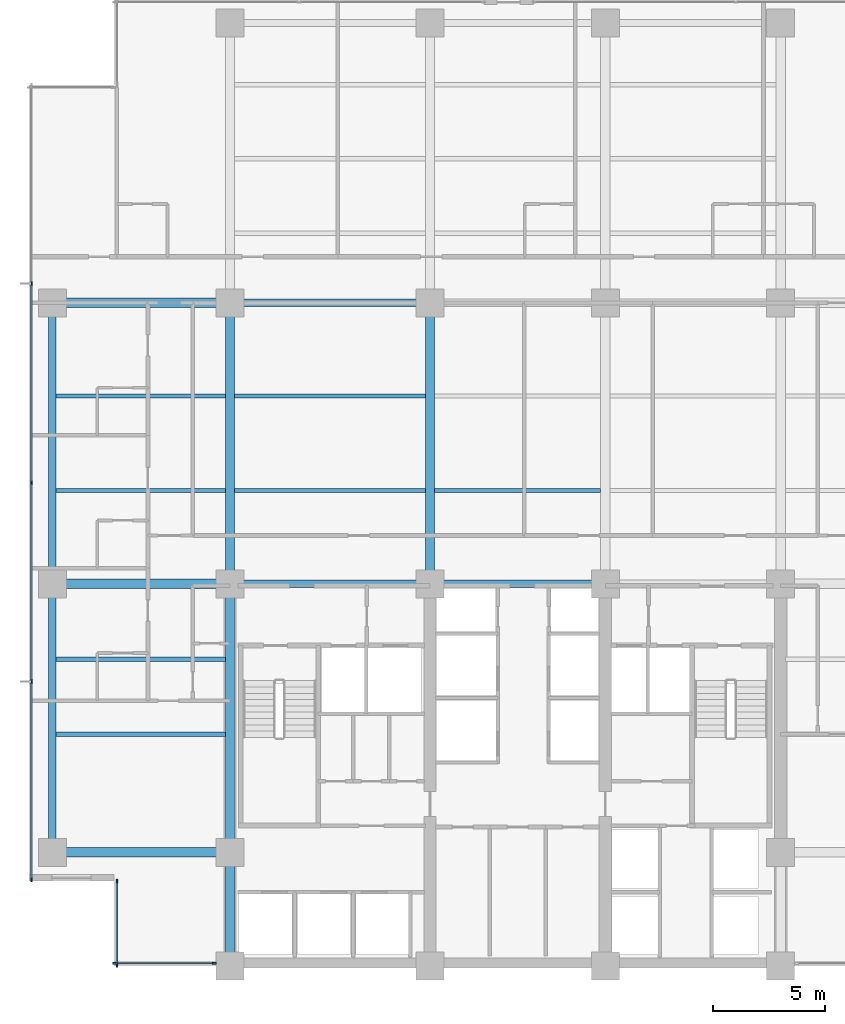
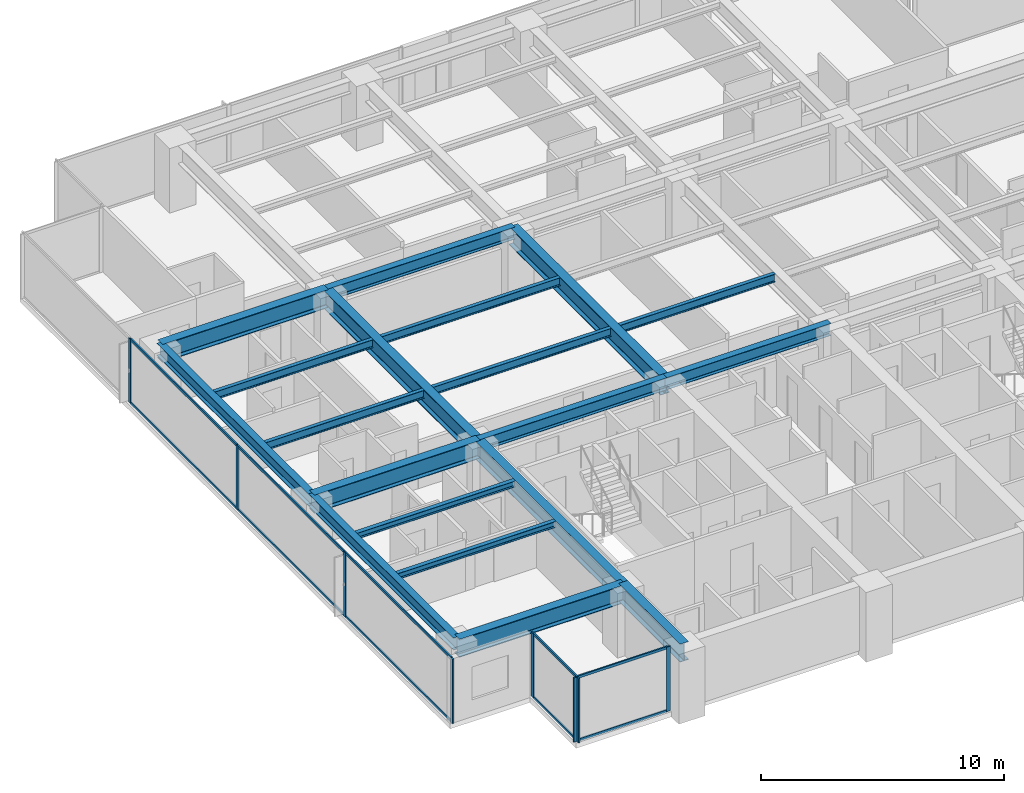
# One storey, part 2 of 17: 19 beams, 18 members, 3 elements without a shape of their own.
"""IFC4 building model written with IfcOpenShell, lengths in metres."""

import ifcopenshell
import ifcopenshell.guid

model = None  # the IFC model being written
_history = None  # IfcOwnerHistory: only IFC2X3 demands one
_inside = {}  # id of a spatial element -> (the spatial element, [elements in it])
_under = {}  # id of a project, library or spatial element -> (it, [spatial elements below it])
_declared = {}  # id of a project -> (the project, [libraries it declares])
_typed = {}  # id of a type object -> (the type object, [elements of that type])
_made_of = {}  # id of a material, layer set ... -> (it, [elements and type objects made of it])


def new_model(schema):
    """Start an empty IFC model of exactly this schema.

    Asked for "IFC4X3", IfcOpenShell would pick the latest addendum, in which some entities
    have other attributes; the version numbers below select the first issue.
    IFC2X3 requires an IfcOwnerHistory on every rooted entity: one is made here for all.
    """
    global model, _history
    if schema == "IFC4X3":
        model = ifcopenshell.file(schema_version=(4, 3, 0, 0))
    else:
        model = ifcopenshell.file(schema=schema)
    _inside.clear()
    _under.clear()
    _declared.clear()
    _typed.clear()
    _made_of.clear()
    _history = None
    if model.schema == "IFC2X3":
        org = make("IfcOrganization", Name="unknown")
        user = make(
            "IfcPersonAndOrganization",
            ThePerson=make("IfcPerson", FamilyName="unknown"),
            TheOrganization=org,
        )
        app = make(
            "IfcApplication",
            ApplicationDeveloper=org,
            Version="unknown",
            ApplicationFullName="unknown",
            ApplicationIdentifier="unknown",
        )
        _history = make(
            "IfcOwnerHistory",
            OwningUser=user,
            OwningApplication=app,
            ChangeAction="ADDED",
            CreationDate=0,
        )
    return model


def make(cls, **values):
    """One entity of the class cls with the attributes given. An attribute that is None is left unset."""
    return model.create_entity(
        cls, **{name: value for name, value in values.items() if value is not None}
    )


def rooted(cls, **values):
    """An entity with a GlobalId (a new one), such as an element, a storey or a relation."""
    return make(cls, GlobalId=ifcopenshell.guid.new(), OwnerHistory=_history, **values)


def si_unit(unit_type, name, prefix=None):
    """IfcSIUnit, for example si_unit("LENGTHUNIT", "METRE", prefix="MILLI")."""
    return make("IfcSIUnit", UnitType=unit_type, Prefix=prefix, Name=name)


def assignment(units):
    """IfcUnitAssignment: the units of a project."""
    return None if units is None else make("IfcUnitAssignment", Units=units)


def point(xyz):
    """IfcCartesianPoint."""
    return None if xyz is None else make("IfcCartesianPoint", Coordinates=xyz)


def direction(xyz):
    """IfcDirection."""
    return None if xyz is None else make("IfcDirection", DirectionRatios=xyz)


def frame(location, z_axis=None, x_axis=None):
    """IfcAxis2Placement3D, a coordinate frame: its origin and axes. An axis left out is left unset."""
    return make(
        "IfcAxis2Placement3D",
        Location=point(location),
        Axis=direction(z_axis),
        RefDirection=direction(x_axis),
    )


def frame_2d(location, x_axis=None):
    """IfcAxis2Placement2D, a coordinate frame in the plane: its origin and x axis."""
    return make(
        "IfcAxis2Placement2D", Location=point(location), RefDirection=direction(x_axis)
    )


def origin():
    """The frame at (0, 0, 0) with its axes left unset."""
    return frame((0.0, 0.0, 0.0))


def origin_2d():
    """The frame at (0, 0) in the plane with its x axis left unset."""
    return frame_2d((0.0, 0.0))


def place(relative_to, where):
    """IfcLocalPlacement: puts the frame where relative to a parent placement (None: the world)."""
    return make(
        "IfcLocalPlacement", PlacementRelTo=relative_to, RelativePlacement=where
    )


def context(
    kind, dimensions, precision=None, world=None, true_north=None, identifier=None
):
    """IfcGeometricRepresentationContext, for example the 3D "Model" context."""
    return make(
        "IfcGeometricRepresentationContext",
        ContextIdentifier=identifier,
        ContextType=kind,
        CoordinateSpaceDimension=dimensions,
        Precision=precision,
        WorldCoordinateSystem=world,
        TrueNorth=true_north,
    )


def subcontext(parent, identifier, kind, view, scale=None):
    """IfcGeometricRepresentationSubContext, for example "Body" below "Model"."""
    return make(
        "IfcGeometricRepresentationSubContext",
        ContextIdentifier=identifier,
        ContextType=kind,
        ParentContext=parent,
        TargetScale=scale,
        TargetView=view,
    )


def project(units=None, contexts=None):
    """IfcProject with its units and contexts."""
    return rooted(
        "IfcProject",
        Name="project",
        RepresentationContexts=contexts,
        UnitsInContext=assignment(units),
    )


def spatial(cls, under=None, at=None, **own):
    """A site, building, storey or space (cls), placed at a placement, below another one or the project."""
    s = rooted(cls, ObjectPlacement=at, **own)
    if under is not None:
        _under.setdefault(under.id(), (under, []))[1].append(s)
    return s


def profile(cls, at=None, kind="AREA", **sizes):
    """A parametric profile (cls). Its sizes go by their IFC names, for example OverallWidth=200.0."""
    return make(cls, ProfileType=kind, Position=at, **sizes)


def rectangle(**sizes):
    """IfcRectangleProfileDef."""
    return profile("IfcRectangleProfileDef", **sizes)


def i_section(**sizes):
    """IfcIShapeProfileDef."""
    return profile("IfcIShapeProfileDef", **sizes)


def extrude(swept, where, along, depth):
    """IfcExtrudedAreaSolid: the profile swept, set in the frame where, extruded along a direction by depth."""
    return make(
        "IfcExtrudedAreaSolid",
        SweptArea=swept,
        Position=where,
        ExtrudedDirection=direction(along),
        Depth=depth,
    )


def shape(context_of_items, identifier, shape_type, items):
    """IfcShapeRepresentation: the items that make up one representation, for example the "Body"."""
    return make(
        "IfcShapeRepresentation",
        ContextOfItems=context_of_items,
        RepresentationIdentifier=identifier,
        RepresentationType=shape_type,
        Items=items,
    )


def material(Name=None, Category=None):
    """IfcMaterial."""
    return make("IfcMaterial", Name=Name, Category=Category)


def layer(
    of_material, thickness, ventilated=None, Name=None, Category=None, Priority=None
):
    """IfcMaterialLayer: one layer of a wall or slab, of a material (None: an air gap)."""
    return make(
        "IfcMaterialLayer",
        Material=of_material,
        LayerThickness=thickness,
        IsVentilated=ventilated,
        Name=Name,
        Category=Category,
        Priority=Priority,
    )


def layer_set(layers, Name=None):
    """IfcMaterialLayerSet."""
    return make("IfcMaterialLayerSet", MaterialLayers=layers, LayerSetName=Name)


def material_profile(
    of_material, cross_section, Name=None, Category=None, Priority=None
):
    """IfcMaterialProfile: a cross section and its material."""
    return make(
        "IfcMaterialProfile",
        Name=Name,
        Material=of_material,
        Profile=cross_section,
        Priority=Priority,
        Category=Category,
    )


def profile_set(profiles, Name=None, composite=None):
    """IfcMaterialProfileSet."""
    return make(
        "IfcMaterialProfileSet",
        Name=Name,
        MaterialProfiles=profiles,
        CompositeProfile=composite,
    )


def made_of(thing, what):
    """Note that an element or type object is made of a material, layer set ...; save() writes the relation."""
    if what is not None:
        _made_of.setdefault(what.id(), (what, []))[1].append(thing)
    return thing


def type_object(cls, material=None, **own):
    """A type object (cls), such as IfcWallType, which elements share."""
    return made_of(rooted(cls, **own), material)


def element(
    cls,
    number,
    at=None,
    inside=None,
    cuts=None,
    type_object=None,
    material=None,
    context=None,
    identifier="Body",
    shape_type=None,
    held_by="IfcProductDefinitionShape",
    body=None,
    shapes=None,
    **own,
):
    """One element of the class cls, such as IfcWall. Its Tag is "e" and its number.

    at: its placement. inside: the storey or other place that contains it. cuts: it is an
    opening in that element (IfcRelVoidsElement). A single representation is given by context,
    identifier, shape_type and body (its items); several are given by shapes. held_by: the class
    of the entity that holds the representations. save() writes the other relations.
    """
    e = rooted(cls, Tag="e%d" % number, ObjectPlacement=at, **own)
    if body is not None:
        shapes = [shape(context, identifier, shape_type, body)]
    if shapes is not None:
        e.Representation = make(held_by, Representations=shapes)
    if inside is not None:
        _inside.setdefault(inside.id(), (inside, []))[1].append(e)
    if cuts is not None:
        rooted(
            "IfcRelVoidsElement", RelatingBuildingElement=cuts, RelatedOpeningElement=e
        )
    if type_object is not None:
        _typed.setdefault(type_object.id(), (type_object, []))[1].append(e)
    return made_of(e, material)


def aggregate(whole, parts):
    """IfcRelAggregates: a whole, such as a stair, and the parts it consists of."""
    return rooted("IfcRelAggregates", RelatingObject=whole, RelatedObjects=parts)


def save(model, path):
    """Write the relations noted so far, then the file.

    IfcRelAggregates (storeys below a building ...), IfcRelContainedInSpatialStructure (elements
    in a storey), IfcRelDefinesByType, IfcRelAssociatesMaterial and IfcRelDeclares: one each for
    every whole, place, type object, material and project.
    """
    for whole, parts in _under.values():
        aggregate(whole, parts)
    for where, things in _inside.values():
        rooted(
            "IfcRelContainedInSpatialStructure",
            RelatedElements=things,
            RelatingStructure=where,
        )
    for kind, things in _typed.values():
        rooted("IfcRelDefinesByType", RelatedObjects=things, RelatingType=kind)
    for what, things in _made_of.values():
        rooted("IfcRelAssociatesMaterial", RelatedObjects=things, RelatingMaterial=what)
    for by, libraries in _declared.values():
        rooted("IfcRelDeclares", RelatingContext=by, RelatedDefinitions=libraries)
    model.write(path)


model = new_model("IFC4")

# Units and contexts
model_context = context("Model", 3, precision=1e-05, world=origin(), true_north=direction((0.0, 1.0)))
body_context = subcontext(model_context, "Body", "Model", "MODEL_VIEW")
ifc_project = project(units=[si_unit("LENGTHUNIT", "METRE"), si_unit("AREAUNIT", "SQUARE_METRE"), si_unit("VOLUMEUNIT", "CUBIC_METRE"), si_unit("PLANEANGLEUNIT", "RADIAN"), si_unit("MASSUNIT", "GRAM", prefix="KILO")], contexts=[model_context])

# Site, building, storey
site_placement = place(None, origin())
site = spatial("IfcSite", under=ifc_project, at=site_placement, CompositionType="ELEMENT")
building_placement = place(site_placement, origin())
building = spatial("IfcBuilding", under=site, at=building_placement, Name="Qalmaran Belvedere Hotel", CompositionType="ELEMENT")
storey_placement = place(building_placement, frame((0.0, 0.0, 98.699951171875)))
storey = spatial("IfcBuildingStorey", under=building, at=storey_placement, Name="L24", CompositionType="ELEMENT", Elevation=98.699951171875)

# Beams
ifc_material_1 = material(Name="Steel S355JR", Category="steel")
ifc_material_profile_1 = material_profile(ifc_material_1, i_section(OverallWidth=0.202880859375, OverallDepth=0.302978515625, WebThickness=0.007568359375, FlangeThickness=0.01318359375, FilletRadius=0.012939453125, at=origin_2d()), Name="W310X60")
ifc_profile_set_1 = profile_set([ifc_material_profile_1], Name="Steel S355JR")
beam_type_1 = type_object("IfcBeamType", Name="BM-JST-W310X60", PredefinedType="JOIST", material=ifc_profile_set_1)
for number, where, z_axis, x_axis, name in (
    (1, (12.5615234375, 13.800048828125, 3.088623046875), (1.0, 0.0, 0.0), (0.0, 1.0, 0.0), "L24 West Wing Joist 038"),
    (2, (12.5615234375, 17.14990234375, 3.088623046875), (1.0, 0.0, 0.0), (0.0, 1.0, 0.0), "L24 West Wing Joist 040"),
):
    element("IfcBeam", number, at=place(storey_placement, frame(where, z_axis=z_axis, x_axis=x_axis)), inside=storey, type_object=beam_type_1, Name=name, PredefinedType="JOIST", context=body_context, shape_type="SweptSolid", body=[
        extrude(i_section(OverallWidth=0.202880859375, OverallDepth=0.302978515625, WebThickness=0.007568359375, FlangeThickness=0.01318359375, FilletRadius=0.012939453125, at=origin_2d()), origin(), (0.0, 0.0, 1.0), 7.531494140625),
    ])
ifc_material_profile_2 = material_profile(ifc_material_1, i_section(OverallWidth=0.41796875, OverallDepth=0.912109375, WebThickness=0.019287109375, FlangeThickness=0.031982421875, FilletRadius=0.02392578125, at=origin_2d()), Name="W920X342")
ifc_profile_set_2 = profile_set([ifc_material_profile_2], Name="Steel S355JR")
beam_type_2 = type_object("IfcBeamType", Name="BM-PG2-W920X342", PredefinedType="USERDEFINED", material=ifc_profile_set_2)
for number, where, z_axis, x_axis, name in (
    (3, (20.300048828125, 20.5, 2.783935546875), (0.0, 1.0, 0.0), (-1.0, 0.0, 0.0), "L24 Mid-Plate N-S Girder 14"),
    (4, (29.199951171875, 20.5, 2.783935546875), (0.0, 1.0, 0.0), (-1.0, 0.0, 0.0), "L24 Mid-Plate N-S Girder 16"),
):
    element("IfcBeam", number, at=place(storey_placement, frame(where, z_axis=z_axis, x_axis=x_axis)), inside=storey, type_object=beam_type_2, Name=name, ObjectType="GIRDER", PredefinedType="USERDEFINED", context=body_context, shape_type="SweptSolid", body=[
        extrude(i_section(OverallWidth=0.41796875, OverallDepth=0.912109375, WebThickness=0.019287109375, FlangeThickness=0.031982421875, FilletRadius=0.02392578125, at=origin_2d()), origin(), (0.0, 0.0, 1.0), 12.5),
    ])
for number, where, z_axis, x_axis, name in (
    (5, (12.39990234375, 8.550048828125, 2.783935546875), (1.0, 0.0, 0.0), (0.0, 1.0, 0.0), "L24 West Wing Girder 22"),
    (6, (12.39990234375, 20.5, 2.783935546875), (1.0, 0.0, 0.0), (0.0, 1.0, 0.0), "L24 West Wing Girder 23"),
    (7, (12.39990234375, 33.0, 2.783935546875), (1.0, 0.0, 0.0), (0.0, 1.0, 0.0), "L24 West Wing Girder 24"),
):
    element("IfcBeam", number, at=place(storey_placement, frame(where, z_axis=z_axis, x_axis=x_axis)), inside=storey, type_object=beam_type_2, Name=name, ObjectType="GIRDER", PredefinedType="USERDEFINED", context=body_context, shape_type="SweptSolid", body=[
        extrude(i_section(OverallWidth=0.41796875, OverallDepth=0.912109375, WebThickness=0.019287109375, FlangeThickness=0.031982421875, FilletRadius=0.02392578125, at=origin_2d()), origin(), (0.0, 0.0, 1.0), 7.900146484375),
    ])
beam_1_placement = place(storey_placement, frame((20.300048828125, 3.5, 2.783935546875), z_axis=(0.0, 1.0, 0.0), x_axis=(-1.0, 0.0, 0.0)))
element("IfcBeam", 8, at=beam_1_placement, inside=storey, type_object=beam_type_2, Name="L24 West Core Edge Girder A", ObjectType="GIRDER", PredefinedType="USERDEFINED", context=body_context, shape_type="SweptSolid", body=[
    extrude(i_section(OverallWidth=0.41796875, OverallDepth=0.912109375, WebThickness=0.019287109375, FlangeThickness=0.031982421875, FilletRadius=0.02392578125, at=origin_2d()), origin(), (0.0, 0.0, 1.0), 5.050048828125),
])
beam_2_placement = place(storey_placement, frame((20.300048828125, 8.550048828125, 2.783935546875), z_axis=(0.0, 1.0, 0.0), x_axis=(-1.0, 0.0, 0.0)))
element("IfcBeam", 9, at=beam_2_placement, inside=storey, type_object=beam_type_2, Name="L24 West Core Edge Girder B", ObjectType="GIRDER", PredefinedType="USERDEFINED", context=body_context, shape_type="SweptSolid", body=[
    extrude(i_section(OverallWidth=0.41796875, OverallDepth=0.912109375, WebThickness=0.019287109375, FlangeThickness=0.031982421875, FilletRadius=0.02392578125, at=origin_2d()), origin(), (0.0, 0.0, 1.0), 11.949951171875),
])
ifc_material_profile_3 = material_profile(ifc_material_1, i_section(OverallWidth=0.177978515625, OverallDepth=0.406982421875, WebThickness=0.0078125, FlangeThickness=0.0126953125, FilletRadius=0.014892578125, at=origin_2d()), Name="W410X60")
ifc_profile_set_3 = profile_set([ifc_material_profile_3], Name="Steel S355JR")
beam_type_3 = type_object("IfcBeamType", Name="BM-SB2-W410X60", PredefinedType="BEAM", material=ifc_profile_set_3)
beam_3_placement = place(storey_placement, frame((12.5615234375, 24.64990234375, 3.03662109375), z_axis=(1.0, 0.0, 0.0), x_axis=(0.0, 1.0, 0.0)))
element("IfcBeam", 10, at=beam_3_placement, inside=storey, type_object=beam_type_3, Name="L24 West Secondary Beam 028", PredefinedType="BEAM", context=body_context, shape_type="SweptSolid", body=[
    extrude(i_section(OverallWidth=0.177978515625, OverallDepth=0.406982421875, WebThickness=0.0078125, FlangeThickness=0.0126953125, FilletRadius=0.014892578125, at=origin_2d()), origin(), (0.0, 0.0, 1.0), 7.531494140625),
])
beam_4_placement = place(storey_placement, frame((20.507080078125, 24.64990234375, 3.03662109375), z_axis=(1.0, 0.0, 0.0), x_axis=(0.0, 1.0, 0.0)))
element("IfcBeam", 11, at=beam_4_placement, inside=storey, type_object=beam_type_3, Name="L24 Secondary Floor Beam 029", PredefinedType="BEAM", context=body_context, shape_type="SweptSolid", body=[
    extrude(i_section(OverallWidth=0.177978515625, OverallDepth=0.406982421875, WebThickness=0.0078125, FlangeThickness=0.0126953125, FilletRadius=0.014892578125, at=origin_2d()), origin(), (0.0, 0.0, 1.0), 8.48583984375),
])
beam_5_placement = place(storey_placement, frame((29.406982421875, 24.64990234375, 3.03662109375), z_axis=(1.0, 0.0, 0.0), x_axis=(0.0, 1.0, 0.0)))
element("IfcBeam", 12, at=beam_5_placement, inside=storey, type_object=beam_type_3, Name="L24 Secondary Floor Beam 030", PredefinedType="BEAM", context=body_context, shape_type="SweptSolid", body=[
    extrude(i_section(OverallWidth=0.177978515625, OverallDepth=0.406982421875, WebThickness=0.0078125, FlangeThickness=0.0126953125, FilletRadius=0.014892578125, at=origin_2d()), origin(), (0.0, 0.0, 1.0), 7.385986328125),
])
beam_6_placement = place(storey_placement, frame((12.5615234375, 28.85009765625, 3.03662109375), z_axis=(1.0, 0.0, 0.0), x_axis=(0.0, 1.0, 0.0)))
element("IfcBeam", 13, at=beam_6_placement, inside=storey, type_object=beam_type_3, Name="L24 West Secondary Beam 033", PredefinedType="BEAM", context=body_context, shape_type="SweptSolid", body=[
    extrude(i_section(OverallWidth=0.177978515625, OverallDepth=0.406982421875, WebThickness=0.0078125, FlangeThickness=0.0126953125, FilletRadius=0.014892578125, at=origin_2d()), origin(), (0.0, 0.0, 1.0), 7.531494140625),
])
beam_7_placement = place(storey_placement, frame((20.507080078125, 28.85009765625, 3.03662109375), z_axis=(1.0, 0.0, 0.0), x_axis=(0.0, 1.0, 0.0)))
element("IfcBeam", 14, at=beam_7_placement, inside=storey, type_object=beam_type_3, Name="L24 Secondary Floor Beam 034", PredefinedType="BEAM", context=body_context, shape_type="SweptSolid", body=[
    extrude(i_section(OverallWidth=0.177978515625, OverallDepth=0.406982421875, WebThickness=0.0078125, FlangeThickness=0.0126953125, FilletRadius=0.014892578125, at=origin_2d()), origin(), (0.0, 0.0, 1.0), 8.48583984375),
])
ifc_material_profile_4 = material_profile(ifc_material_1, i_section(OverallWidth=0.326904296875, OverallDepth=0.6220703125, WebThickness=0.015380859375, FlangeThickness=0.0244140625, FilletRadius=0.02001953125, at=origin_2d()), Name="W610X195")
ifc_profile_set_4 = profile_set([ifc_material_profile_4], Name="Steel S355JR")
beam_type_4 = type_object("IfcBeamType", Name="BM-SP1-W610X195", PredefinedType="SPANDREL", material=ifc_profile_set_4)
beam_8_placement = place(storey_placement, frame((12.39990234375, 8.550048828125, 2.928955078125), z_axis=(0.0, 1.0, 0.0), x_axis=(-1.0, 0.0, 0.0)))
element("IfcBeam", 15, at=beam_8_placement, inside=storey, type_object=beam_type_4, Name="L24 Perimeter Spandrel 01", PredefinedType="SPANDREL", context=body_context, shape_type="SweptSolid", body=[
    extrude(i_section(OverallWidth=0.326904296875, OverallDepth=0.6220703125, WebThickness=0.015380859375, FlangeThickness=0.0244140625, FilletRadius=0.02001953125, at=origin_2d()), origin(), (0.0, 0.0, 1.0), 11.949951171875),
])
beam_9_placement = place(storey_placement, frame((12.39990234375, 20.5, 2.928955078125), z_axis=(0.0, 1.0, 0.0), x_axis=(-1.0, 0.0, 0.0)))
element("IfcBeam", 16, at=beam_9_placement, inside=storey, type_object=beam_type_4, Name="L24 Perimeter Spandrel 02", PredefinedType="SPANDREL", context=body_context, shape_type="SweptSolid", body=[
    extrude(i_section(OverallWidth=0.326904296875, OverallDepth=0.6220703125, WebThickness=0.015380859375, FlangeThickness=0.0244140625, FilletRadius=0.02001953125, at=origin_2d()), origin(), (0.0, 0.0, 1.0), 12.5),
])
ifc_material_profile_5 = material_profile(ifc_material_1, i_section(OverallWidth=0.323974609375, OverallDepth=0.611083984375, WebThickness=0.0126953125, FlangeThickness=0.01904296875, FilletRadius=0.02001953125, at=origin_2d()), Name="W610X155")
ifc_profile_set_5 = profile_set([ifc_material_profile_5], Name="Steel S355JR")
beam_type_5 = type_object("IfcBeamType", Name="BM-Z2-W610X155", PredefinedType="USERDEFINED", material=ifc_profile_set_5)
beam_10_placement = place(storey_placement, frame((20.300048828125, 20.5, 2.9345703125), z_axis=(1.0, 0.0, 0.0), x_axis=(0.0, 1.0, 0.0)))
element("IfcBeam", 17, at=beam_10_placement, inside=storey, type_object=beam_type_5, Name="L24 Interior E-W Girder 08", ObjectType="GIRDER", PredefinedType="USERDEFINED", context=body_context, shape_type="SweptSolid", body=[
    extrude(i_section(OverallWidth=0.323974609375, OverallDepth=0.611083984375, WebThickness=0.0126953125, FlangeThickness=0.01904296875, FilletRadius=0.02001953125, at=origin_2d()), origin(), (0.0, 0.0, 1.0), 8.89990234375),
])
beam_11_placement = place(storey_placement, frame((29.199951171875, 20.5, 2.9345703125), z_axis=(1.0, 0.0, 0.0), x_axis=(0.0, 1.0, 0.0)))
element("IfcBeam", 18, at=beam_11_placement, inside=storey, type_object=beam_type_5, Name="L24 Interior E-W Girder 09", ObjectType="GIRDER", PredefinedType="USERDEFINED", context=body_context, shape_type="SweptSolid", body=[
    extrude(i_section(OverallWidth=0.323974609375, OverallDepth=0.611083984375, WebThickness=0.0126953125, FlangeThickness=0.01904296875, FilletRadius=0.02001953125, at=origin_2d()), origin(), (0.0, 0.0, 1.0), 7.800048828125),
])
beam_12_placement = place(storey_placement, frame((20.300048828125, 33.0, 2.9345703125), z_axis=(1.0, 0.0, 0.0), x_axis=(0.0, 1.0, 0.0)))
element("IfcBeam", 19, at=beam_12_placement, inside=storey, type_object=beam_type_5, Name="L24 Interior E-W Girder 11", ObjectType="GIRDER", PredefinedType="USERDEFINED", context=body_context, shape_type="SweptSolid", body=[
    extrude(i_section(OverallWidth=0.323974609375, OverallDepth=0.611083984375, WebThickness=0.0126953125, FlangeThickness=0.01904296875, FilletRadius=0.02001953125, at=origin_2d()), origin(), (0.0, 0.0, 1.0), 8.89990234375),
])

# Curtain wall, members
ifc_material_2 = material(Name="Anodised Bronze Aluminium", Category="aluminium")
ifc_layer = layer(ifc_material_2, 0.199951171875, Name="Anodised Bronze Aluminium")
ifc_layer_set = layer_set([ifc_layer], Name="Anodised Bronze Aluminium")
curtain_wall_type = type_object("IfcCurtainWallType", Name="CW3-TOWER-LOWMID", PredefinedType="NOTDEFINED", material=ifc_layer_set)
curtain_wall_1_placement = place(storey_placement, origin())
curtain_wall_1 = element("IfcCurtainWall", 20, at=curtain_wall_1_placement, inside=storey, type_object=curtain_wall_type, Name="L24 Curtain Wall CW3", PredefinedType="NOTDEFINED")
ifc_material_profile_6 = material_profile(ifc_material_2, rectangle(XDim=0.070068359375, YDim=0.18994140625, at=origin_2d()), Name="CWM70X190")
ifc_profile_set_6 = profile_set([ifc_material_profile_6], Name="Anodised Bronze Aluminium")
member_type_1 = type_object("IfcMemberType", Name="CWM-70X190", PredefinedType="MULLION", material=ifc_profile_set_6)
member_1_placement = place(storey_placement, frame((15.18505859375, 3.6201171875, 0.0), z_axis=(0.0, 0.0, 1.0), x_axis=(0.0, 1.0, 0.0)))
member_1 = element("IfcMember", 21, at=member_1_placement, type_object=member_type_1, Name="CW3 mullion 1", PredefinedType="MULLION", context=body_context, shape_type="SweptSolid", body=[
    extrude(rectangle(XDim=0.070068359375, YDim=0.18994140625, at=origin_2d()), origin(), (0.0, 0.0, 1.0), 3.239990234375),
])
member_2_placement = place(storey_placement, frame((19.60009765625, 3.6201171875, 0.0), z_axis=(0.0, 0.0, 1.0), x_axis=(0.0, 1.0, 0.0)))
member_2 = element("IfcMember", 22, at=member_2_placement, type_object=member_type_1, Name="CW3 mullion 2", PredefinedType="MULLION", context=body_context, shape_type="SweptSolid", body=[
    extrude(rectangle(XDim=0.070068359375, YDim=0.18994140625, at=origin_2d()), origin(), (0.0, 0.0, 1.0), 3.239990234375),
])

curtain_wall_2_placement = place(storey_placement, origin())
curtain_wall_2 = element("IfcCurtainWall", 23, at=curtain_wall_2_placement, inside=storey, type_object=curtain_wall_type, Name="L24 Curtain Wall CW3", PredefinedType="NOTDEFINED")
member_3_placement = place(storey_placement, frame((11.469970703125, 33.85009765625, 0.0), z_axis=(0.0, 0.0, 1.0), x_axis=(1.0, 0.0, 0.0)))
member_3 = element("IfcMember", 24, at=member_3_placement, type_object=member_type_1, Name="CW3 mullion 2", PredefinedType="MULLION", context=body_context, shape_type="SweptSolid", body=[
    extrude(rectangle(XDim=0.070068359375, YDim=0.18994140625, at=origin_2d()), origin(), (0.0, 0.0, 1.0), 3.239990234375),
])
member_4_placement = place(storey_placement, frame((11.469970703125, 25.0, 0.0), z_axis=(0.0, 0.0, 1.0), x_axis=(1.0, 0.0, 0.0)))
member_4 = element("IfcMember", 25, at=member_4_placement, type_object=member_type_1, Name="CW3 mullion 3", PredefinedType="MULLION", context=body_context, shape_type="SweptSolid", body=[
    extrude(rectangle(XDim=0.070068359375, YDim=0.18994140625, at=origin_2d()), origin(), (0.0, 0.0, 1.0), 3.239990234375),
])
member_5_placement = place(storey_placement, frame((11.469970703125, 16.14990234375, 0.0), z_axis=(0.0, 0.0, 1.0), x_axis=(1.0, 0.0, 0.0)))
member_5 = element("IfcMember", 26, at=member_5_placement, type_object=member_type_1, Name="CW3 mullion 4", PredefinedType="MULLION", context=body_context, shape_type="SweptSolid", body=[
    extrude(rectangle(XDim=0.070068359375, YDim=0.18994140625, at=origin_2d()), origin(), (0.0, 0.0, 1.0), 3.239990234375),
])
member_6_placement = place(storey_placement, frame((11.469970703125, 7.3349609375, 0.0), z_axis=(0.0, 0.0, 1.0), x_axis=(1.0, 0.0, 0.0)))
member_6 = element("IfcMember", 27, at=member_6_placement, type_object=member_type_1, Name="CW3 mullion 5", PredefinedType="MULLION", context=body_context, shape_type="SweptSolid", body=[
    extrude(rectangle(XDim=0.070068359375, YDim=0.18994140625, at=origin_2d()), origin(), (0.0, 0.0, 1.0), 3.239990234375),
])

curtain_wall_3_placement = place(storey_placement, origin())
curtain_wall_3 = element("IfcCurtainWall", 28, at=curtain_wall_3_placement, inside=storey, type_object=curtain_wall_type, Name="L24 Curtain Wall CW3", PredefinedType="NOTDEFINED")
member_7_placement = place(storey_placement, frame((15.27001953125, 7.264892578125, 0.0), z_axis=(0.0, 0.0, 1.0), x_axis=(1.0, 0.0, 0.0)))
member_7 = element("IfcMember", 29, at=member_7_placement, type_object=member_type_1, Name="CW3 mullion 1", PredefinedType="MULLION", context=body_context, shape_type="SweptSolid", body=[
    extrude(rectangle(XDim=0.070068359375, YDim=0.18994140625, at=origin_2d()), origin(), (0.0, 0.0, 1.0), 3.239990234375),
])
member_8_placement = place(storey_placement, frame((15.27001953125, 3.534912109375, 0.0), z_axis=(0.0, 0.0, 1.0), x_axis=(1.0, 0.0, 0.0)))
member_8 = element("IfcMember", 30, at=member_8_placement, type_object=member_type_1, Name="CW3 mullion 2", PredefinedType="MULLION", context=body_context, shape_type="SweptSolid", body=[
    extrude(rectangle(XDim=0.070068359375, YDim=0.18994140625, at=origin_2d()), origin(), (0.0, 0.0, 1.0), 3.239990234375),
])

# Member
ifc_material_profile_7 = material_profile(ifc_material_2, rectangle(XDim=0.06494140625, YDim=0.1298828125, at=origin_2d()), Name="CWT65X130")
ifc_profile_set_7 = profile_set([ifc_material_profile_7], Name="Anodised Bronze Aluminium")
member_type_2 = type_object("IfcMemberType", Name="CWT-65X130", PredefinedType="USERDEFINED", material=ifc_profile_set_7)
member_9_placement = place(storey_placement, frame((15.219970703125, 3.6201171875, 0.032470703125), z_axis=(1.0, 0.0, 0.0), x_axis=(0.0, 1.0, 0.0)))
member_9 = element("IfcMember", 31, at=member_9_placement, type_object=member_type_2, Name="CW3 transom 1.1", ObjectType="TRANSOM", PredefinedType="USERDEFINED", context=body_context, shape_type="SweptSolid", body=[
    extrude(rectangle(XDim=0.06494140625, YDim=0.1298828125, at=origin_2d()), origin(), (0.0, 0.0, 1.0), 4.344970703125),
])

member_10_placement = place(storey_placement, frame((15.219970703125, 3.6201171875, 3.20751953125), z_axis=(1.0, 0.0, 0.0), x_axis=(0.0, 1.0, 0.0)))
member_10 = element("IfcMember", 32, at=member_10_placement, type_object=member_type_2, Name="CW3 transom 1.2", ObjectType="TRANSOM", PredefinedType="USERDEFINED", context=body_context, shape_type="SweptSolid", body=[
    extrude(rectangle(XDim=0.06494140625, YDim=0.1298828125, at=origin_2d()), origin(), (0.0, 0.0, 1.0), 4.344970703125),
])

aggregate(curtain_wall_1, [member_1, member_2, member_9, member_10])

member_11_placement = place(storey_placement, frame((11.469970703125, 33.81494140625, 0.032470703125), z_axis=(0.0, -1.0, 0.0), x_axis=(1.0, 0.0, 0.0)))
member_11 = element("IfcMember", 33, at=member_11_placement, type_object=member_type_2, Name="CW3 transom 2.1", ObjectType="TRANSOM", PredefinedType="USERDEFINED", context=body_context, shape_type="SweptSolid", body=[
    extrude(rectangle(XDim=0.06494140625, YDim=0.1298828125, at=origin_2d()), origin(), (0.0, 0.0, 1.0), 8.780029296875),
])

member_12_placement = place(storey_placement, frame((11.469970703125, 33.81494140625, 3.20751953125), z_axis=(0.0, -1.0, 0.0), x_axis=(1.0, 0.0, 0.0)))
member_12 = element("IfcMember", 34, at=member_12_placement, type_object=member_type_2, Name="CW3 transom 2.2", ObjectType="TRANSOM", PredefinedType="USERDEFINED", context=body_context, shape_type="SweptSolid", body=[
    extrude(rectangle(XDim=0.06494140625, YDim=0.1298828125, at=origin_2d()), origin(), (0.0, 0.0, 1.0), 8.780029296875),
])

member_13_placement = place(storey_placement, frame((11.469970703125, 24.965087890625, 0.032470703125), z_axis=(0.0, -1.0, 0.0), x_axis=(1.0, 0.0, 0.0)))
member_13 = element("IfcMember", 35, at=member_13_placement, type_object=member_type_2, Name="CW3 transom 3.1", ObjectType="TRANSOM", PredefinedType="USERDEFINED", context=body_context, shape_type="SweptSolid", body=[
    extrude(rectangle(XDim=0.06494140625, YDim=0.1298828125, at=origin_2d()), origin(), (0.0, 0.0, 1.0), 8.780029296875),
])

member_14_placement = place(storey_placement, frame((11.469970703125, 24.965087890625, 3.20751953125), z_axis=(0.0, -1.0, 0.0), x_axis=(1.0, 0.0, 0.0)))
member_14 = element("IfcMember", 36, at=member_14_placement, type_object=member_type_2, Name="CW3 transom 3.2", ObjectType="TRANSOM", PredefinedType="USERDEFINED", context=body_context, shape_type="SweptSolid", body=[
    extrude(rectangle(XDim=0.06494140625, YDim=0.1298828125, at=origin_2d()), origin(), (0.0, 0.0, 1.0), 8.780029296875),
])

member_15_placement = place(storey_placement, frame((11.469970703125, 16.114990234375, 0.032470703125), z_axis=(0.0, -1.0, 0.0), x_axis=(1.0, 0.0, 0.0)))
member_15 = element("IfcMember", 37, at=member_15_placement, type_object=member_type_2, Name="CW3 transom 4.1", ObjectType="TRANSOM", PredefinedType="USERDEFINED", context=body_context, shape_type="SweptSolid", body=[
    extrude(rectangle(XDim=0.06494140625, YDim=0.1298828125, at=origin_2d()), origin(), (0.0, 0.0, 1.0), 8.744873046875),
])

member_16_placement = place(storey_placement, frame((11.469970703125, 16.114990234375, 3.20751953125), z_axis=(0.0, -1.0, 0.0), x_axis=(1.0, 0.0, 0.0)))
member_16 = element("IfcMember", 38, at=member_16_placement, type_object=member_type_2, Name="CW3 transom 4.2", ObjectType="TRANSOM", PredefinedType="USERDEFINED", context=body_context, shape_type="SweptSolid", body=[
    extrude(rectangle(XDim=0.06494140625, YDim=0.1298828125, at=origin_2d()), origin(), (0.0, 0.0, 1.0), 8.744873046875),
])

aggregate(curtain_wall_2, [member_3, member_4, member_5, member_6, member_11, member_12, member_13, member_14, member_15, member_16])

member_17_placement = place(storey_placement, frame((15.27001953125, 7.22998046875, 0.032470703125), z_axis=(0.0, -1.0, 0.0), x_axis=(1.0, 0.0, 0.0)))
member_17 = element("IfcMember", 39, at=member_17_placement, type_object=member_type_2, Name="CW3 transom 1.1", ObjectType="TRANSOM", PredefinedType="USERDEFINED", context=body_context, shape_type="SweptSolid", body=[
    extrude(rectangle(XDim=0.06494140625, YDim=0.1298828125, at=origin_2d()), origin(), (0.0, 0.0, 1.0), 3.659912109375),
])

member_18_placement = place(storey_placement, frame((15.27001953125, 7.22998046875, 3.20751953125), z_axis=(0.0, -1.0, 0.0), x_axis=(1.0, 0.0, 0.0)))
member_18 = element("IfcMember", 40, at=member_18_placement, type_object=member_type_2, Name="CW3 transom 1.2", ObjectType="TRANSOM", PredefinedType="USERDEFINED", context=body_context, shape_type="SweptSolid", body=[
    extrude(rectangle(XDim=0.06494140625, YDim=0.1298828125, at=origin_2d()), origin(), (0.0, 0.0, 1.0), 3.659912109375),
])

aggregate(curtain_wall_3, [member_7, member_8, member_17, member_18])

save(model, "model.ifc")
